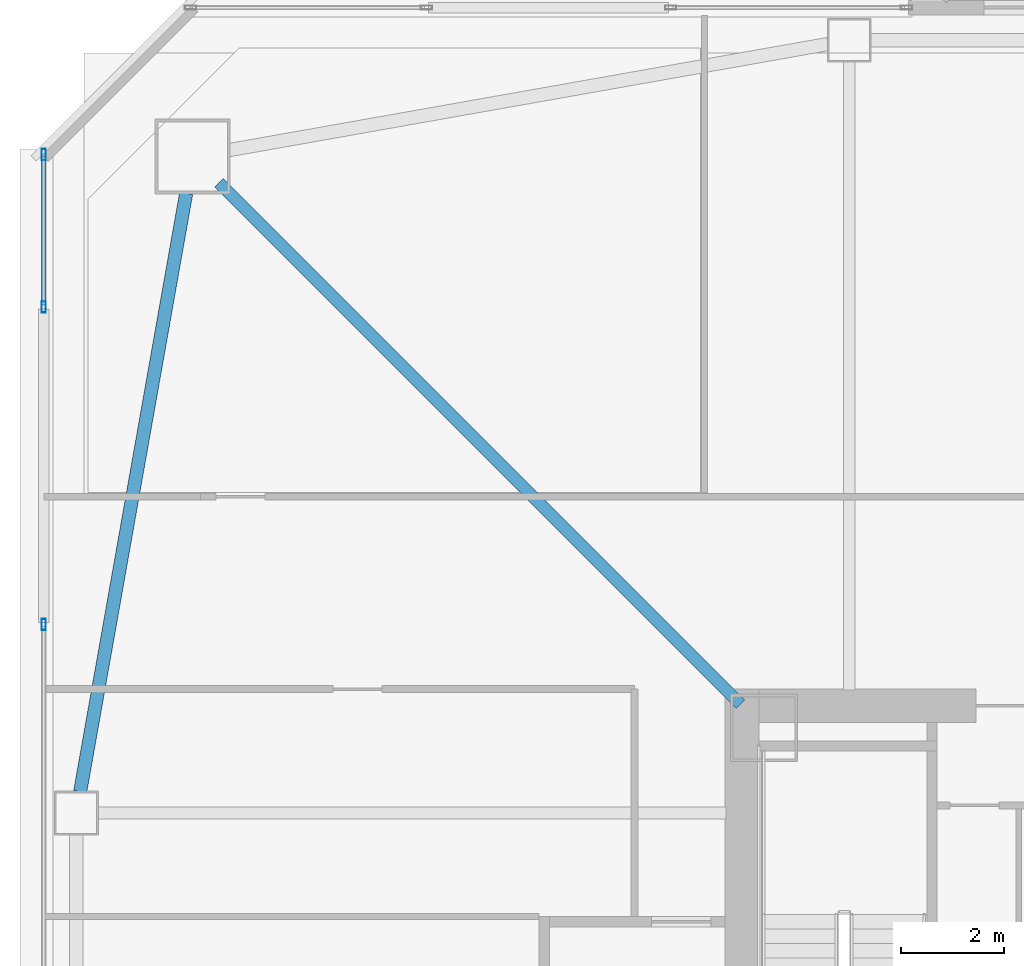
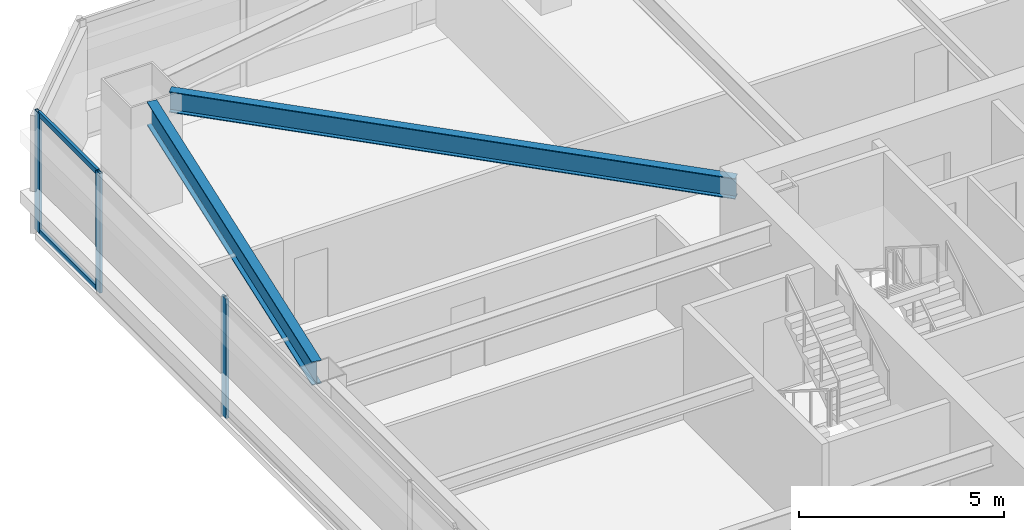
# One storey, part 12 of 47: 5 members, 2 beams, 2 elements without a shape of their own.
"""IFC4 building model written with IfcOpenShell, lengths in metres."""

from ifc_helpers import new_model, si_unit, direction, frame, origin, origin_2d, place, context, subcontext, project, spatial, hollow_rectangle, i_section, extrude, material, material_profile, profile_set, type_object, element, aggregate, save


model = new_model("IFC4")

# Units and contexts
model_context = context("Model", 3, precision=1e-05, world=origin(), true_north=direction((0.0, 1.0)))
body_context = subcontext(model_context, "Body", "Model", "MODEL_VIEW")
ifc_project = project(units=[si_unit("LENGTHUNIT", "METRE"), si_unit("AREAUNIT", "SQUARE_METRE"), si_unit("VOLUMEUNIT", "CUBIC_METRE"), si_unit("PLANEANGLEUNIT", "RADIAN"), si_unit("MASSUNIT", "GRAM", prefix="KILO")], contexts=[model_context])

# Site, building, storey
site_placement = place(None, origin())
site = spatial("IfcSite", under=ifc_project, at=site_placement, CompositionType="ELEMENT")
building_placement = place(site_placement, origin())
building = spatial("IfcBuilding", under=site, at=building_placement, Name="Tashvorn Skyway Center", CompositionType="ELEMENT")
storey_placement = place(building_placement, frame((0.0, 0.0, 81.39990234375)))
storey = spatial("IfcBuildingStorey", under=building, at=storey_placement, Name="L21", CompositionType="ELEMENT", Elevation=81.39990234375)

# Beams
ifc_material_1 = material(Name="Steel ASTM A992 Grade 50", Category="steel")
ifc_material_profile_1 = material_profile(ifc_material_1, i_section(OverallWidth=0.22998046875, OverallDepth=0.616943359375, WebThickness=0.01318359375, FlangeThickness=0.022216796875, at=origin_2d()), Name="W24X94")
ifc_profile_set_1 = profile_set([ifc_material_profile_1], Name="Steel ASTM A992 Grade 50")
beam_type_1 = type_object("IfcBeamType", Name="BM-BEAM-W24X94", PredefinedType="BEAM", material=ifc_profile_set_1)
beam_1_placement = place(storey_placement, frame((24.4091796875, 49.5908203125, 3.04150390625), z_axis=(0.707106781187, -0.707106781187, 0.0), x_axis=(0.707106781187, 0.707106781187, 0.0)))
element("IfcBeam", 1, at=beam_1_placement, inside=storey, type_object=beam_type_1, Name="Tower 1 L21 Primary Floor Girder MC-NW", PredefinedType="BEAM", context=body_context, shape_type="SweptSolid", body=[
    extrude(i_section(OverallWidth=0.22998046875, OverallDepth=0.616943359375, WebThickness=0.01318359375, FlangeThickness=0.022216796875, at=origin_2d()), origin(), (0.0, 0.0, 1.0), 14.261962890625),
])
ifc_material_profile_2 = material_profile(ifc_material_1, i_section(OverallWidth=0.256103515625, OverallDepth=0.693115234375, WebThickness=0.014404296875, FlangeThickness=0.023681640625, at=origin_2d()), Name="W27X114")
ifc_profile_set_2 = profile_set([ifc_material_profile_2], Name="Steel ASTM A992 Grade 50")
beam_type_2 = type_object("IfcBeamType", Name="BM-SPANDREL-W27X114", PredefinedType="SPANDREL", material=ifc_profile_set_2)
beam_2_placement = place(storey_placement, frame((23.7744140625, 49.39111328125, 3.003662109375), z_axis=(-0.174437966698, -0.98466816531, 0.0), x_axis=(0.98466816531, -0.174437966698, 0.0)))
element("IfcBeam", 2, at=beam_2_placement, inside=storey, type_object=beam_type_2, Name="Tower 1 L21 Spandrel Beam 10", PredefinedType="SPANDREL", context=body_context, shape_type="SweptSolid", body=[
    extrude(i_section(OverallWidth=0.256103515625, OverallDepth=0.693115234375, WebThickness=0.014404296875, FlangeThickness=0.023681640625, at=origin_2d()), origin(), (0.0, 0.0, 1.0), 11.7578125),
])

# Curtain wall, member
ifc_material_2 = material(Name="Thermally broken bronze-anodized aluminium 6063-T6", Category="aluminium")
curtain_wall_type = type_object("IfcCurtainWallType", Name="CW-CW-Z2", PredefinedType="NOTDEFINED", material=ifc_material_2)
curtain_wall_1_placement = place(storey_placement, origin())
curtain_wall_1 = element("IfcCurtainWall", 3, at=curtain_wall_1_placement, inside=storey, type_object=curtain_wall_type, Name="Tower 1 L21 West Unitised Curtain Wall Glazing Group 2", PredefinedType="NOTDEFINED")
ifc_material_profile_3 = material_profile(ifc_material_2, hollow_rectangle(XDim=0.080078125, YDim=0.219970703125, WallThickness=0.0048828125, at=origin_2d()), Name="ALU-MULL-80x220")
ifc_profile_set_3 = profile_set([ifc_material_profile_3], Name="Thermally broken bronze-anodized aluminium 6063-T6")
member_type_1 = type_object("IfcMemberType", Name="CWM-CW-Z2", PredefinedType="MULLION", material=ifc_profile_set_3)
member_1_placement = place(storey_placement, frame((21.02001953125, 41.050048828125, 0.0), z_axis=(0.0, 0.0, 1.0), x_axis=(-1.0, 0.0, 0.0)))
member_1 = element("IfcMember", 4, at=member_1_placement, type_object=member_type_1, Name="CW-Z2 mullion 3", PredefinedType="MULLION", context=body_context, shape_type="SweptSolid", body=[
    extrude(hollow_rectangle(XDim=0.080078125, YDim=0.219970703125, WallThickness=0.0048828125, at=origin_2d()), origin(), (0.0, 0.0, 1.0), 3.550048828125),
])
aggregate(curtain_wall_1, [member_1])

# Curtain wall, members
curtain_wall_2_placement = place(storey_placement, origin())
curtain_wall_2 = element("IfcCurtainWall", 5, at=curtain_wall_2_placement, inside=storey, type_object=curtain_wall_type, Name="Tower 1 L21 West Unitised Curtain Wall Glazing Group 3", PredefinedType="NOTDEFINED")
member_2_placement = place(storey_placement, frame((21.02001953125, 47.18994140625, 0.0), z_axis=(0.0, 0.0, 1.0), x_axis=(-1.0, 0.0, 0.0)))
member_2 = element("IfcMember", 6, at=member_2_placement, type_object=member_type_1, Name="CW-Z2 mullion 1", PredefinedType="MULLION", context=body_context, shape_type="SweptSolid", body=[
    extrude(hollow_rectangle(XDim=0.080078125, YDim=0.219970703125, WallThickness=0.0048828125, at=origin_2d()), origin(), (0.0, 0.0, 1.0), 3.550048828125),
])
member_3_placement = place(storey_placement, frame((21.02001953125, 50.139892578125, 0.0), z_axis=(0.0, 0.0, 1.0), x_axis=(-1.0, 0.0, 0.0)))
member_3 = element("IfcMember", 7, at=member_3_placement, type_object=member_type_1, Name="CW-Z2 mullion 2", PredefinedType="MULLION", context=body_context, shape_type="SweptSolid", body=[
    extrude(hollow_rectangle(XDim=0.080078125, YDim=0.219970703125, WallThickness=0.0048828125, at=origin_2d()), origin(), (0.0, 0.0, 1.0), 3.550048828125),
])
ifc_material_profile_4 = material_profile(ifc_material_2, hollow_rectangle(XDim=0.080078125, YDim=0.14990234375, WallThickness=0.00439453125, at=origin_2d()), Name="ALU-TRAN-80x150")
ifc_profile_set_4 = profile_set([ifc_material_profile_4], Name="Thermally broken bronze-anodized aluminium 6063-T6")
member_type_2 = type_object("IfcMemberType", Name="CWT-CW-Z2", PredefinedType="USERDEFINED", material=ifc_profile_set_4)
member_4_placement = place(storey_placement, frame((21.02001953125, 47.22998046875, 0.0400390625), z_axis=(0.0, 1.0, 0.0), x_axis=(-1.0, 0.0, 0.0)))
member_4 = element("IfcMember", 8, at=member_4_placement, type_object=member_type_2, Name="CW-Z2 transom 1.1", ObjectType="TRANSOM", PredefinedType="USERDEFINED", context=body_context, shape_type="SweptSolid", body=[
    extrude(hollow_rectangle(XDim=0.080078125, YDim=0.14990234375, WallThickness=0.00439453125, at=origin_2d()), origin(), (0.0, 0.0, 1.0), 2.8701171875),
])
member_5_placement = place(storey_placement, frame((21.02001953125, 47.22998046875, 3.510009765625), z_axis=(0.0, 1.0, 0.0), x_axis=(-1.0, 0.0, 0.0)))
member_5 = element("IfcMember", 9, at=member_5_placement, type_object=member_type_2, Name="CW-Z2 transom 1.2", ObjectType="TRANSOM", PredefinedType="USERDEFINED", context=body_context, shape_type="SweptSolid", body=[
    extrude(hollow_rectangle(XDim=0.080078125, YDim=0.14990234375, WallThickness=0.00439453125, at=origin_2d()), origin(), (0.0, 0.0, 1.0), 2.8701171875),
])
aggregate(curtain_wall_2, [member_2, member_3, member_4, member_5])

save(model, "model.ifc")
